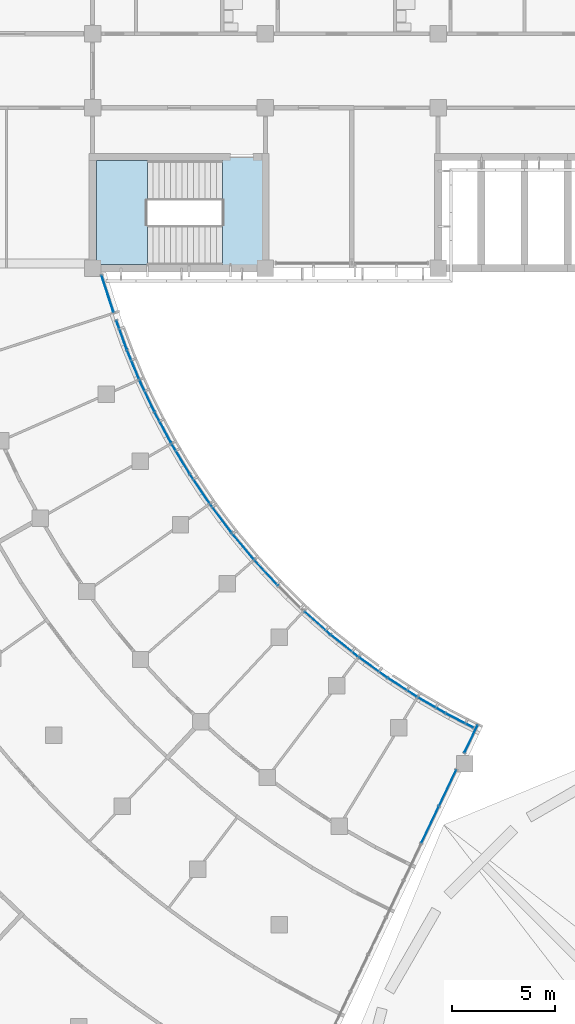
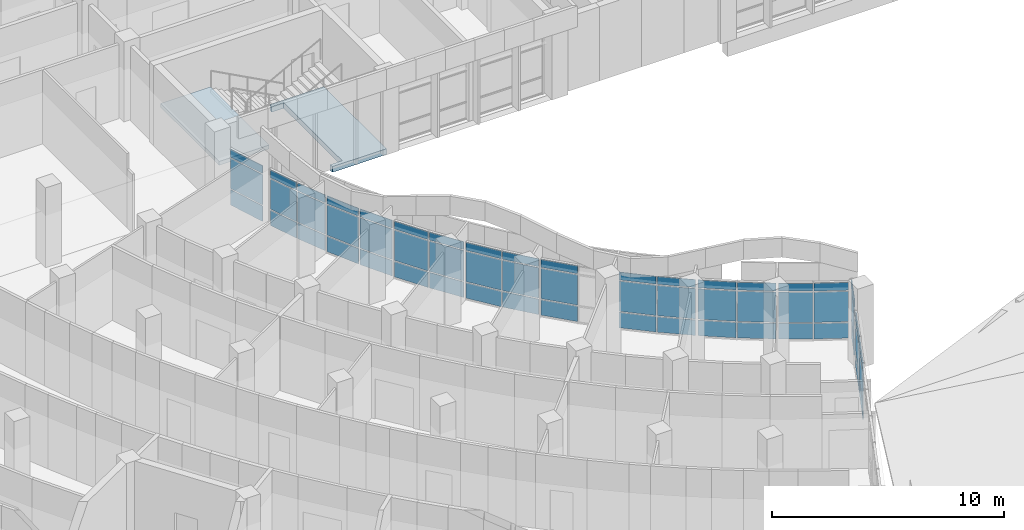
# One storey, part 54 of 137: 57 plates, 2 slabs, 12 elements without a shape of their own.
"""IFC4 building model written with IfcOpenShell, lengths in metres."""

from ifc_helpers import new_model, si_unit, direction, frame, origin, origin_2d, place, context, subcontext, project, spatial, polyline, rectangle, outline, extrude, material, layer, layer_set, type_object, element, aggregate, save


model = new_model("IFC4")

# Units and contexts
model_context = context("Model", 3, precision=1e-05, world=origin(), true_north=direction((0.0, 1.0)))
body_context = subcontext(model_context, "Body", "Model", "MODEL_VIEW")
ifc_project = project(units=[si_unit("LENGTHUNIT", "METRE"), si_unit("AREAUNIT", "SQUARE_METRE"), si_unit("VOLUMEUNIT", "CUBIC_METRE"), si_unit("PLANEANGLEUNIT", "RADIAN"), si_unit("MASSUNIT", "GRAM", prefix="KILO")], contexts=[model_context])

# Site, building, storey
site_placement = place(None, origin())
site = spatial("IfcSite", under=ifc_project, at=site_placement, CompositionType="ELEMENT")
building_placement = place(site_placement, origin())
building = spatial("IfcBuilding", under=site, at=building_placement, Name="Bougainvillea Quay General Hospital", CompositionType="ELEMENT")
storey_placement = place(building_placement, frame((0.0, 0.0, 16.800048828125)))
storey = spatial("IfcBuildingStorey", under=building, at=storey_placement, Name="L03", CompositionType="ELEMENT", Elevation=16.800048828125)

# Curtain wall, plates
ifc_material_1 = material(Name="Aluminium curtain wall system, powder-coated glazed", Category="aluminium")
curtain_wall_type_1 = type_object("IfcCurtainWallType", Name="Unitised curtain wall CW-1997", PredefinedType="NOTDEFINED", material=ifc_material_1)
curtain_wall_1_placement = place(storey_placement, origin())
curtain_wall_1 = element("IfcCurtainWall", 1, at=curtain_wall_1_placement, inside=storey, type_object=curtain_wall_type_1, Name="CW-AE 02", PredefinedType="NOTDEFINED")
ifc_material_2 = material(Name="Insulated aluminium spandrel panel, white", Category="aluminium")
ifc_layer_1 = layer(ifc_material_2, 0.028076171875)
ifc_layer_set_1 = layer_set([ifc_layer_1], Name="Insulated aluminium spandrel panel, white")
plate_type_1 = type_object("IfcPlateType", Name="Insulated spandrel panel white 28", PredefinedType="CURTAIN_PANEL", material=ifc_layer_set_1)
plate_1_placement = place(storey_placement, frame((92.006591796875, 90.533203125, 0.059814453125), z_axis=(0.0, 0.0, 1.0), x_axis=(0.430525444112, 0.902578440897, 0.0)))
plate_1 = element("IfcPlate", 2, at=plate_1_placement, type_object=plate_type_1, Name="CW-AE spandrel panel 9.1", PredefinedType="CURTAIN_PANEL", context=body_context, shape_type="SweptSolid", body=[
    extrude(rectangle(XDim=1.93603515625, YDim=0.028076171875, at=origin_2d()), origin(), (0.0, 0.0, 1.0), 0.81005859375),
])
plate_2_placement = place(storey_placement, frame((92.006591796875, 90.533203125, 2.580078125), z_axis=(0.0, 0.0, 1.0), x_axis=(0.430525444112, 0.902578440897, 0.0)))
plate_2 = element("IfcPlate", 3, at=plate_2_placement, type_object=plate_type_1, Name="CW-AE spandrel panel 9.3", PredefinedType="CURTAIN_PANEL", context=body_context, shape_type="SweptSolid", body=[
    extrude(rectangle(XDim=1.93603515625, YDim=0.028076171875, at=origin_2d()), origin(), (0.0, 0.0, 1.0), 0.409912109375),
])
plate_3_placement = place(storey_placement, frame((92.859375, 92.3212890625, 0.059814453125), z_axis=(0.0, 0.0, 1.0), x_axis=(0.430525444112, 0.902578440897, 0.0)))
plate_3 = element("IfcPlate", 4, at=plate_3_placement, type_object=plate_type_1, Name="CW-AE spandrel panel 10.1", PredefinedType="CURTAIN_PANEL", context=body_context, shape_type="SweptSolid", body=[
    extrude(rectangle(XDim=1.906005859375, YDim=0.028076171875, at=origin_2d()), origin(), (0.0, 0.0, 1.0), 0.81005859375),
])
plate_4_placement = place(storey_placement, frame((92.859375, 92.3212890625, 2.580078125), z_axis=(0.0, 0.0, 1.0), x_axis=(0.430525444112, 0.902578440897, 0.0)))
plate_4 = element("IfcPlate", 5, at=plate_4_placement, type_object=plate_type_1, Name="CW-AE spandrel panel 10.3", PredefinedType="CURTAIN_PANEL", context=body_context, shape_type="SweptSolid", body=[
    extrude(rectangle(XDim=1.906005859375, YDim=0.028076171875, at=origin_2d()), origin(), (0.0, 0.0, 1.0), 0.409912109375),
])

curtain_wall_type_2 = type_object("IfcCurtainWallType", Name="Unitised curtain wall CW-1580", PredefinedType="NOTDEFINED", material=ifc_material_1)
curtain_wall_2_placement = place(storey_placement, origin())
curtain_wall_2 = element("IfcCurtainWall", 6, at=curtain_wall_2_placement, inside=storey, type_object=curtain_wall_type_2, Name="CW-AE 03", PredefinedType="NOTDEFINED")
plate_5_placement = place(storey_placement, frame((93.997314453125, 94.706787109375, 0.059814453125), z_axis=(0.0, 0.0, 1.0), x_axis=(0.430525444112, 0.902578440897, 0.0)))
plate_5 = element("IfcPlate", 7, at=plate_5_placement, type_object=plate_type_1, Name="CW-AE spandrel panel 1.1", PredefinedType="CURTAIN_PANEL", context=body_context, shape_type="SweptSolid", body=[
    extrude(rectangle(XDim=1.459716796875, YDim=0.028076171875, at=origin_2d()), origin(), (0.0, 0.0, 1.0), 0.81005859375),
])
plate_6_placement = place(storey_placement, frame((93.997314453125, 94.706787109375, 2.580078125), z_axis=(0.0, 0.0, 1.0), x_axis=(0.430525444112, 0.902578440897, 0.0)))
plate_6 = element("IfcPlate", 8, at=plate_6_placement, type_object=plate_type_1, Name="CW-AE spandrel panel 1.3", PredefinedType="CURTAIN_PANEL", context=body_context, shape_type="SweptSolid", body=[
    extrude(rectangle(XDim=1.459716796875, YDim=0.028076171875, at=origin_2d()), origin(), (0.0, 0.0, 1.0), 0.409912109375),
])

curtain_wall_type_3 = type_object("IfcCurtainWallType", Name="Unitised curtain wall CW-2100", PredefinedType="NOTDEFINED", material=ifc_material_1)
curtain_wall_3_placement = place(storey_placement, origin())
curtain_wall_3 = element("IfcCurtainWall", 9, at=curtain_wall_3_placement, inside=storey, type_object=curtain_wall_type_3, Name="CW-W01 a03b0", PredefinedType="NOTDEFINED")
plate_7_placement = place(storey_placement, frame((93.4384765625, 95.602294921875, 0.059814453125), z_axis=(0.0, 0.0, 1.0), x_axis=(-0.887958036873, 0.459924477228, 0.0)))
plate_7 = element("IfcPlate", 10, at=plate_7_placement, type_object=plate_type_1, Name="CW-W01 spandrel panel 1.1", PredefinedType="CURTAIN_PANEL", context=body_context, shape_type="SweptSolid", body=[
    extrude(rectangle(XDim=1.475830078125, YDim=0.028076171875, at=origin_2d()), origin(), (0.0, 0.0, 1.0), 0.81005859375),
])
plate_8_placement = place(storey_placement, frame((93.4384765625, 95.602294921875, 2.580078125), z_axis=(0.0, 0.0, 1.0), x_axis=(-0.887958036873, 0.459924477228, 0.0)))
plate_8 = element("IfcPlate", 11, at=plate_8_placement, type_object=plate_type_1, Name="CW-W01 spandrel panel 1.3", PredefinedType="CURTAIN_PANEL", context=body_context, shape_type="SweptSolid", body=[
    extrude(rectangle(XDim=1.475830078125, YDim=0.028076171875, at=origin_2d()), origin(), (0.0, 0.0, 1.0), 0.409912109375),
])
plate_9_placement = place(storey_placement, frame((92.09130859375, 96.339599609375, 0.059814453125), z_axis=(0.0, 0.0, 1.0), x_axis=(-0.866007268476, 0.50003140996, 0.0)))
plate_9 = element("IfcPlate", 12, at=plate_9_placement, type_object=plate_type_1, Name="CW-W01 spandrel panel 2.1", PredefinedType="CURTAIN_PANEL", context=body_context, shape_type="SweptSolid", body=[
    extrude(rectangle(XDim=1.475830078125, YDim=0.028076171875, at=origin_2d()), origin(), (0.0, 0.0, 1.0), 0.81005859375),
])
plate_10_placement = place(storey_placement, frame((92.09130859375, 96.339599609375, 2.580078125), z_axis=(0.0, 0.0, 1.0), x_axis=(-0.866007268476, 0.50003140996, 0.0)))
plate_10 = element("IfcPlate", 13, at=plate_10_placement, type_object=plate_type_1, Name="CW-W01 spandrel panel 2.3", PredefinedType="CURTAIN_PANEL", context=body_context, shape_type="SweptSolid", body=[
    extrude(rectangle(XDim=1.475830078125, YDim=0.028076171875, at=origin_2d()), origin(), (0.0, 0.0, 1.0), 0.409912109375),
])

curtain_wall_4_placement = place(storey_placement, origin())
curtain_wall_4 = element("IfcCurtainWall", 14, at=curtain_wall_4_placement, inside=storey, type_object=curtain_wall_type_3, Name="CW-W02 a03b1", PredefinedType="NOTDEFINED")
plate_11_placement = place(storey_placement, frame((90.657470703125, 97.216796875, 0.059814453125), z_axis=(0.0, 0.0, 1.0), x_axis=(-0.840897357359, 0.541194636325, 0.0)))
plate_11 = element("IfcPlate", 15, at=plate_11_placement, type_object=plate_type_1, Name="CW-W02 spandrel panel 1.1", PredefinedType="CURTAIN_PANEL", context=body_context, shape_type="SweptSolid", body=[
    extrude(rectangle(XDim=1.64697265625, YDim=0.028076171875, at=origin_2d()), origin(), (0.0, 0.0, 1.0), 0.81005859375),
])
plate_12_placement = place(storey_placement, frame((90.657470703125, 97.216796875, 2.580078125), z_axis=(0.0, 0.0, 1.0), x_axis=(-0.840897357359, 0.541194636325, 0.0)))
plate_12 = element("IfcPlate", 16, at=plate_12_placement, type_object=plate_type_1, Name="CW-W02 spandrel panel 1.3", PredefinedType="CURTAIN_PANEL", context=body_context, shape_type="SweptSolid", body=[
    extrude(rectangle(XDim=1.64697265625, YDim=0.028076171875, at=origin_2d()), origin(), (0.0, 0.0, 1.0), 0.409912109375),
])
plate_13_placement = place(storey_placement, frame((89.246337890625, 98.17626953125, 0.059814453125), z_axis=(0.0, 0.0, 1.0), x_axis=(-0.812378779606, 0.583130104218, 0.0)))
plate_13 = element("IfcPlate", 17, at=plate_13_placement, type_object=plate_type_1, Name="CW-W02 spandrel panel 2.1", PredefinedType="CURTAIN_PANEL", context=body_context, shape_type="SweptSolid", body=[
    extrude(rectangle(XDim=1.64697265625, YDim=0.028076171875, at=origin_2d()), origin(), (0.0, 0.0, 1.0), 0.81005859375),
])
plate_14_placement = place(storey_placement, frame((89.246337890625, 98.17626953125, 2.580078125), z_axis=(0.0, 0.0, 1.0), x_axis=(-0.812378779606, 0.583130104218, 0.0)))
plate_14 = element("IfcPlate", 18, at=plate_14_placement, type_object=plate_type_1, Name="CW-W02 spandrel panel 2.3", PredefinedType="CURTAIN_PANEL", context=body_context, shape_type="SweptSolid", body=[
    extrude(rectangle(XDim=1.64697265625, YDim=0.028076171875, at=origin_2d()), origin(), (0.0, 0.0, 1.0), 0.409912109375),
])

curtain_wall_5_placement = place(storey_placement, origin())
curtain_wall_5 = element("IfcCurtainWall", 19, at=curtain_wall_5_placement, inside=storey, type_object=curtain_wall_type_3, Name="CW-W03 a03b2", PredefinedType="NOTDEFINED")
plate_15_placement = place(storey_placement, frame((87.838134765625, 99.242431640625, 0.059814453125), z_axis=(0.0, 0.0, 1.0), x_axis=(-0.781770850765, 0.623565824026, 0.0)))
plate_15 = element("IfcPlate", 20, at=plate_15_placement, type_object=plate_type_1, Name="CW-W03 spandrel panel 1.1", PredefinedType="CURTAIN_PANEL", context=body_context, shape_type="SweptSolid", body=[
    extrude(rectangle(XDim=1.64697265625, YDim=0.028076171875, at=origin_2d()), origin(), (0.0, 0.0, 1.0), 0.81005859375),
])
plate_16_placement = place(storey_placement, frame((87.838134765625, 99.242431640625, 2.580078125), z_axis=(0.0, 0.0, 1.0), x_axis=(-0.781770850765, 0.623565824026, 0.0)))
plate_16 = element("IfcPlate", 21, at=plate_16_placement, type_object=plate_type_1, Name="CW-W03 spandrel panel 1.3", PredefinedType="CURTAIN_PANEL", context=body_context, shape_type="SweptSolid", body=[
    extrude(rectangle(XDim=1.64697265625, YDim=0.028076171875, at=origin_2d()), origin(), (0.0, 0.0, 1.0), 0.409912109375),
])
plate_17_placement = place(storey_placement, frame((86.531494140625, 100.33984375, 0.059814453125), z_axis=(0.0, 0.0, 1.0), x_axis=(-0.749152291145, 0.662397799417, 0.0)))
plate_17 = element("IfcPlate", 22, at=plate_17_placement, type_object=plate_type_1, Name="CW-W03 spandrel panel 2.1", PredefinedType="CURTAIN_PANEL", context=body_context, shape_type="SweptSolid", body=[
    extrude(rectangle(XDim=1.64697265625, YDim=0.028076171875, at=origin_2d()), origin(), (0.0, 0.0, 1.0), 0.81005859375),
])
plate_18_placement = place(storey_placement, frame((86.531494140625, 100.33984375, 2.580078125), z_axis=(0.0, 0.0, 1.0), x_axis=(-0.749152291145, 0.662397799417, 0.0)))
plate_18 = element("IfcPlate", 23, at=plate_18_placement, type_object=plate_type_1, Name="CW-W03 spandrel panel 2.3", PredefinedType="CURTAIN_PANEL", context=body_context, shape_type="SweptSolid", body=[
    extrude(rectangle(XDim=1.64697265625, YDim=0.028076171875, at=origin_2d()), origin(), (0.0, 0.0, 1.0), 0.409912109375),
])

curtain_wall_6_placement = place(storey_placement, origin())
curtain_wall_6 = element("IfcCurtainWall", 24, at=curtain_wall_6_placement, inside=storey, type_object=curtain_wall_type_3, Name="CW-W04 a03b3", PredefinedType="NOTDEFINED")
plate_19_placement = place(storey_placement, frame((84.049560546875, 102.767333984375, 0.059814453125), z_axis=(0.0, 0.0, 1.0), x_axis=(-0.678223800683, 0.734855411756, 0.0)))
plate_19 = element("IfcPlate", 25, at=plate_19_placement, type_object=plate_type_1, Name="CW-W04 spandrel panel 2.1", PredefinedType="CURTAIN_PANEL", context=body_context, shape_type="SweptSolid", body=[
    extrude(rectangle(XDim=1.64697265625, YDim=0.028076171875, at=origin_2d()), origin(), (0.0, 0.0, 1.0), 0.81005859375),
])
plate_20_placement = place(storey_placement, frame((84.049560546875, 102.767333984375, 2.580078125), z_axis=(0.0, 0.0, 1.0), x_axis=(-0.678223800683, 0.734855411756, 0.0)))
plate_20 = element("IfcPlate", 26, at=plate_20_placement, type_object=plate_type_1, Name="CW-W04 spandrel panel 2.3", PredefinedType="CURTAIN_PANEL", context=body_context, shape_type="SweptSolid", body=[
    extrude(rectangle(XDim=1.64697265625, YDim=0.028076171875, at=origin_2d()), origin(), (0.0, 0.0, 1.0), 0.409912109375),
])

curtain_wall_7_placement = place(storey_placement, origin())
curtain_wall_7 = element("IfcCurtainWall", 27, at=curtain_wall_7_placement, inside=storey, type_object=curtain_wall_type_3, Name="CW-W05 a03b4", PredefinedType="NOTDEFINED")
plate_21_placement = place(storey_placement, frame((82.884765625, 104.09521484375, 0.059814453125), z_axis=(0.0, 0.0, 1.0), x_axis=(-0.64009629031, 0.768294695498, 0.0)))
plate_21 = element("IfcPlate", 28, at=plate_21_placement, type_object=plate_type_1, Name="CW-W05 spandrel panel 1.1", PredefinedType="CURTAIN_PANEL", context=body_context, shape_type="SweptSolid", body=[
    extrude(rectangle(XDim=1.64697265625, YDim=0.028076171875, at=origin_2d()), origin(), (0.0, 0.0, 1.0), 0.81005859375),
])
plate_22_placement = place(storey_placement, frame((82.884765625, 104.09521484375, 2.580078125), z_axis=(0.0, 0.0, 1.0), x_axis=(-0.64009629031, 0.768294695498, 0.0)))
plate_22 = element("IfcPlate", 29, at=plate_22_placement, type_object=plate_type_1, Name="CW-W05 spandrel panel 1.3", PredefinedType="CURTAIN_PANEL", context=body_context, shape_type="SweptSolid", body=[
    extrude(rectangle(XDim=1.64697265625, YDim=0.028076171875, at=origin_2d()), origin(), (0.0, 0.0, 1.0), 0.409912109375),
])
plate_23_placement = place(storey_placement, frame((81.826171875, 105.43359375, 0.059814453125), z_axis=(0.0, 0.0, 1.0), x_axis=(-0.600322520933, 0.799758007688, 0.0)))
plate_23 = element("IfcPlate", 30, at=plate_23_placement, type_object=plate_type_1, Name="CW-W05 spandrel panel 2.1", PredefinedType="CURTAIN_PANEL", context=body_context, shape_type="SweptSolid", body=[
    extrude(rectangle(XDim=1.64697265625, YDim=0.028076171875, at=origin_2d()), origin(), (0.0, 0.0, 1.0), 0.81005859375),
])
plate_24_placement = place(storey_placement, frame((81.826171875, 105.43359375, 2.580078125), z_axis=(0.0, 0.0, 1.0), x_axis=(-0.600322520933, 0.799758007688, 0.0)))
plate_24 = element("IfcPlate", 31, at=plate_24_placement, type_object=plate_type_1, Name="CW-W05 spandrel panel 2.3", PredefinedType="CURTAIN_PANEL", context=body_context, shape_type="SweptSolid", body=[
    extrude(rectangle(XDim=1.64697265625, YDim=0.028076171875, at=origin_2d()), origin(), (0.0, 0.0, 1.0), 0.409912109375),
])

curtain_wall_8_placement = place(storey_placement, origin())
curtain_wall_8 = element("IfcCurtainWall", 32, at=curtain_wall_8_placement, inside=storey, type_object=curtain_wall_type_3, Name="CW-W06 a03b5", PredefinedType="NOTDEFINED")
plate_25_placement = place(storey_placement, frame((80.802001953125, 106.872802734375, 0.059814453125), z_axis=(0.0, 0.0, 1.0), x_axis=(-0.55900478642, 0.82916442806, 0.0)))
plate_25 = element("IfcPlate", 33, at=plate_25_placement, type_object=plate_type_1, Name="CW-W06 spandrel panel 1.1", PredefinedType="CURTAIN_PANEL", context=body_context, shape_type="SweptSolid", body=[
    extrude(rectangle(XDim=1.64697265625, YDim=0.028076171875, at=origin_2d()), origin(), (0.0, 0.0, 1.0), 0.81005859375),
])
plate_26_placement = place(storey_placement, frame((80.802001953125, 106.872802734375, 2.580078125), z_axis=(0.0, 0.0, 1.0), x_axis=(-0.55900478642, 0.82916442806, 0.0)))
plate_26 = element("IfcPlate", 34, at=plate_26_placement, type_object=plate_type_1, Name="CW-W06 spandrel panel 1.3", PredefinedType="CURTAIN_PANEL", context=body_context, shape_type="SweptSolid", body=[
    extrude(rectangle(XDim=1.64697265625, YDim=0.028076171875, at=origin_2d()), origin(), (0.0, 0.0, 1.0), 0.409912109375),
])
plate_27_placement = place(storey_placement, frame((79.88427734375, 108.311279296875, 0.059814453125), z_axis=(0.0, 0.0, 1.0), x_axis=(-0.516249351553, 0.856438326455, 0.0)))
plate_27 = element("IfcPlate", 35, at=plate_27_placement, type_object=plate_type_1, Name="CW-W06 spandrel panel 2.1", PredefinedType="CURTAIN_PANEL", context=body_context, shape_type="SweptSolid", body=[
    extrude(rectangle(XDim=1.64697265625, YDim=0.028076171875, at=origin_2d()), origin(), (0.0, 0.0, 1.0), 0.81005859375),
])
plate_28_placement = place(storey_placement, frame((79.88427734375, 108.311279296875, 2.580078125), z_axis=(0.0, 0.0, 1.0), x_axis=(-0.516249351553, 0.856438326455, 0.0)))
plate_28 = element("IfcPlate", 36, at=plate_28_placement, type_object=plate_type_1, Name="CW-W06 spandrel panel 2.3", PredefinedType="CURTAIN_PANEL", context=body_context, shape_type="SweptSolid", body=[
    extrude(rectangle(XDim=1.64697265625, YDim=0.028076171875, at=origin_2d()), origin(), (0.0, 0.0, 1.0), 0.409912109375),
])

curtain_wall_9_placement = place(storey_placement, origin())
curtain_wall_9 = element("IfcCurtainWall", 37, at=curtain_wall_9_placement, inside=storey, type_object=curtain_wall_type_3, Name="CW-W07 a03b6", PredefinedType="NOTDEFINED")
plate_29_placement = place(storey_placement, frame((79.010986328125, 109.8466796875, 0.059814453125), z_axis=(0.0, 0.0, 1.0), x_axis=(-0.472166178724, 0.881509557333, 0.0)))
plate_29 = element("IfcPlate", 38, at=plate_29_placement, type_object=plate_type_1, Name="CW-W07 spandrel panel 1.1", PredefinedType="CURTAIN_PANEL", context=body_context, shape_type="SweptSolid", body=[
    extrude(rectangle(XDim=1.64697265625, YDim=0.028076171875, at=origin_2d()), origin(), (0.0, 0.0, 1.0), 0.81005859375),
])
plate_30_placement = place(storey_placement, frame((79.010986328125, 109.8466796875, 2.580078125), z_axis=(0.0, 0.0, 1.0), x_axis=(-0.472166178724, 0.881509557333, 0.0)))
plate_30 = element("IfcPlate", 39, at=plate_30_placement, type_object=plate_type_1, Name="CW-W07 spandrel panel 1.3", PredefinedType="CURTAIN_PANEL", context=body_context, shape_type="SweptSolid", body=[
    extrude(rectangle(XDim=1.64697265625, YDim=0.028076171875, at=origin_2d()), origin(), (0.0, 0.0, 1.0), 0.409912109375),
])
plate_31_placement = place(storey_placement, frame((78.24365234375, 111.370849609375, 0.059814453125), z_axis=(0.0, 0.0, 1.0), x_axis=(-0.426868645126, 0.904313640176, 0.0)))
plate_31 = element("IfcPlate", 40, at=plate_31_placement, type_object=plate_type_1, Name="CW-W07 spandrel panel 2.1", PredefinedType="CURTAIN_PANEL", context=body_context, shape_type="SweptSolid", body=[
    extrude(rectangle(XDim=1.64697265625, YDim=0.028076171875, at=origin_2d()), origin(), (0.0, 0.0, 1.0), 0.81005859375),
])
plate_32_placement = place(storey_placement, frame((78.24365234375, 111.370849609375, 2.580078125), z_axis=(0.0, 0.0, 1.0), x_axis=(-0.426868645126, 0.904313640176, 0.0)))
plate_32 = element("IfcPlate", 41, at=plate_32_placement, type_object=plate_type_1, Name="CW-W07 spandrel panel 2.3", PredefinedType="CURTAIN_PANEL", context=body_context, shape_type="SweptSolid", body=[
    extrude(rectangle(XDim=1.64697265625, YDim=0.028076171875, at=origin_2d()), origin(), (0.0, 0.0, 1.0), 0.409912109375),
])

curtain_wall_10_placement = place(storey_placement, origin())
curtain_wall_10 = element("IfcCurtainWall", 42, at=curtain_wall_10_placement, inside=storey, type_object=curtain_wall_type_3, Name="CW-W08 a03b7", PredefinedType="NOTDEFINED")
plate_33_placement = place(storey_placement, frame((77.56103515625, 112.907470703125, 0.059814453125), z_axis=(0.0, 0.0, 1.0), x_axis=(-0.382770483282, 0.923843470036, 0.0)))
plate_33 = element("IfcPlate", 43, at=plate_33_placement, type_object=plate_type_1, Name="CW-W08 spandrel panel 1.1", PredefinedType="CURTAIN_PANEL", context=body_context, shape_type="SweptSolid", body=[
    extrude(rectangle(XDim=1.476806640625, YDim=0.028076171875, at=origin_2d()), origin(), (0.0, 0.0, 1.0), 0.81005859375),
])
plate_34_placement = place(storey_placement, frame((77.56103515625, 112.907470703125, 2.580078125), z_axis=(0.0, 0.0, 1.0), x_axis=(-0.382770483282, 0.923843470036, 0.0)))
plate_34 = element("IfcPlate", 44, at=plate_34_placement, type_object=plate_type_1, Name="CW-W08 spandrel panel 1.3", PredefinedType="CURTAIN_PANEL", context=body_context, shape_type="SweptSolid", body=[
    extrude(rectangle(XDim=1.476806640625, YDim=0.028076171875, at=origin_2d()), origin(), (0.0, 0.0, 1.0), 0.409912109375),
])
plate_35_placement = place(storey_placement, frame((77.005615234375, 114.33984375, 0.059814453125), z_axis=(0.0, 0.0, 1.0), x_axis=(-0.340120177444, 0.940381978185, 0.0)))
plate_35 = element("IfcPlate", 45, at=plate_35_placement, type_object=plate_type_1, Name="CW-W08 spandrel panel 2.1", PredefinedType="CURTAIN_PANEL", context=body_context, shape_type="SweptSolid", body=[
    extrude(rectangle(XDim=1.476806640625, YDim=0.028076171875, at=origin_2d()), origin(), (0.0, 0.0, 1.0), 0.81005859375),
])
plate_36_placement = place(storey_placement, frame((77.005615234375, 114.33984375, 2.580078125), z_axis=(0.0, 0.0, 1.0), x_axis=(-0.340120177444, 0.940381978185, 0.0)))
plate_36 = element("IfcPlate", 46, at=plate_36_placement, type_object=plate_type_1, Name="CW-W08 spandrel panel 2.3", PredefinedType="CURTAIN_PANEL", context=body_context, shape_type="SweptSolid", body=[
    extrude(rectangle(XDim=1.476806640625, YDim=0.028076171875, at=origin_2d()), origin(), (0.0, 0.0, 1.0), 0.409912109375),
])

curtain_wall_type_4 = type_object("IfcCurtainWallType", Name="Unitised curtain wall CW-1975", PredefinedType="NOTDEFINED", material=ifc_material_1)
curtain_wall_11_placement = place(storey_placement, origin())
curtain_wall_11 = element("IfcCurtainWall", 47, at=curtain_wall_11_placement, inside=storey, type_object=curtain_wall_type_4, Name="CW-AE 00", PredefinedType="NOTDEFINED")
plate_37_placement = place(storey_placement, frame((76.3212890625, 116.354736328125, 0.059814453125), z_axis=(0.0, 0.0, 1.0), x_axis=(-0.308970506674, 0.951071619809, 0.0)))
plate_37 = element("IfcPlate", 48, at=plate_37_placement, type_object=plate_type_1, Name="CW-AE spandrel panel 1.1", PredefinedType="CURTAIN_PANEL", context=body_context, shape_type="SweptSolid", body=[
    extrude(rectangle(XDim=1.8544921875, YDim=0.028076171875, at=origin_2d()), origin(), (0.0, 0.0, 1.0), 0.81005859375),
])
plate_38_placement = place(storey_placement, frame((76.3212890625, 116.354736328125, 2.580078125), z_axis=(0.0, 0.0, 1.0), x_axis=(-0.308970506674, 0.951071619809, 0.0)))
plate_38 = element("IfcPlate", 49, at=plate_38_placement, type_object=plate_type_1, Name="CW-AE spandrel panel 1.3", PredefinedType="CURTAIN_PANEL", context=body_context, shape_type="SweptSolid", body=[
    extrude(rectangle(XDim=1.8544921875, YDim=0.028076171875, at=origin_2d()), origin(), (0.0, 0.0, 1.0), 0.409912109375),
])

# Plate
ifc_material_3 = material(Name="Low-e laminated glass, solar control", Category="glass")
ifc_layer_2 = layer(ifc_material_3, 0.028076171875)
ifc_layer_set_2 = layer_set([ifc_layer_2], Name="Low-e laminated glass, solar control")
plate_type_2 = type_object("IfcPlateType", Name="Low-e laminated vision glass 28", PredefinedType="CURTAIN_PANEL", material=ifc_layer_set_2)
plate_39_placement = place(storey_placement, frame((92.006591796875, 90.533203125, 0.9296875), z_axis=(0.0, 0.0, 1.0), x_axis=(0.430525444112, 0.902578440897, 0.0)))
plate_39 = element("IfcPlate", 50, at=plate_39_placement, type_object=plate_type_2, Name="CW-AE vision glass panel 9.2", PredefinedType="CURTAIN_PANEL", context=body_context, shape_type="SweptSolid", body=[
    extrude(rectangle(XDim=1.93603515625, YDim=0.028076171875, at=origin_2d()), origin(), (0.0, 0.0, 1.0), 1.590087890625),
])

plate_40_placement = place(storey_placement, frame((92.859375, 92.3212890625, 0.9296875), z_axis=(0.0, 0.0, 1.0), x_axis=(0.430525444112, 0.902578440897, 0.0)))
plate_40 = element("IfcPlate", 51, at=plate_40_placement, type_object=plate_type_2, Name="CW-AE vision glass panel 10.2", PredefinedType="CURTAIN_PANEL", context=body_context, shape_type="SweptSolid", body=[
    extrude(rectangle(XDim=1.906005859375, YDim=0.028076171875, at=origin_2d()), origin(), (0.0, 0.0, 1.0), 1.590087890625),
])

aggregate(curtain_wall_1, [plate_1, plate_39, plate_2, plate_3, plate_40, plate_4])

plate_41_placement = place(storey_placement, frame((93.997314453125, 94.706787109375, 0.9296875), z_axis=(0.0, 0.0, 1.0), x_axis=(0.430525444112, 0.902578440897, 0.0)))
plate_41 = element("IfcPlate", 52, at=plate_41_placement, type_object=plate_type_2, Name="CW-AE vision glass panel 1.2", PredefinedType="CURTAIN_PANEL", context=body_context, shape_type="SweptSolid", body=[
    extrude(rectangle(XDim=1.459716796875, YDim=0.028076171875, at=origin_2d()), origin(), (0.0, 0.0, 1.0), 1.590087890625),
])

aggregate(curtain_wall_2, [plate_5, plate_41, plate_6])

plate_42_placement = place(storey_placement, frame((93.4384765625, 95.602294921875, 0.9296875), z_axis=(0.0, 0.0, 1.0), x_axis=(-0.887958036873, 0.459924477228, 0.0)))
plate_42 = element("IfcPlate", 53, at=plate_42_placement, type_object=plate_type_2, Name="CW-W01 vision glass panel 1.2", PredefinedType="CURTAIN_PANEL", context=body_context, shape_type="SweptSolid", body=[
    extrude(rectangle(XDim=1.475830078125, YDim=0.028076171875, at=origin_2d()), origin(), (0.0, 0.0, 1.0), 1.590087890625),
])

plate_43_placement = place(storey_placement, frame((92.09130859375, 96.339599609375, 0.9296875), z_axis=(0.0, 0.0, 1.0), x_axis=(-0.866007268476, 0.50003140996, 0.0)))
plate_43 = element("IfcPlate", 54, at=plate_43_placement, type_object=plate_type_2, Name="CW-W01 vision glass panel 2.2", PredefinedType="CURTAIN_PANEL", context=body_context, shape_type="SweptSolid", body=[
    extrude(rectangle(XDim=1.475830078125, YDim=0.028076171875, at=origin_2d()), origin(), (0.0, 0.0, 1.0), 1.590087890625),
])

aggregate(curtain_wall_3, [plate_7, plate_42, plate_8, plate_9, plate_43, plate_10])

plate_44_placement = place(storey_placement, frame((90.657470703125, 97.216796875, 0.9296875), z_axis=(0.0, 0.0, 1.0), x_axis=(-0.840897357359, 0.541194636325, 0.0)))
plate_44 = element("IfcPlate", 55, at=plate_44_placement, type_object=plate_type_2, Name="CW-W02 vision glass panel 1.2", PredefinedType="CURTAIN_PANEL", context=body_context, shape_type="SweptSolid", body=[
    extrude(rectangle(XDim=1.64697265625, YDim=0.028076171875, at=origin_2d()), origin(), (0.0, 0.0, 1.0), 1.590087890625),
])

plate_45_placement = place(storey_placement, frame((89.246337890625, 98.17626953125, 0.9296875), z_axis=(0.0, 0.0, 1.0), x_axis=(-0.812378779606, 0.583130104218, 0.0)))
plate_45 = element("IfcPlate", 56, at=plate_45_placement, type_object=plate_type_2, Name="CW-W02 vision glass panel 2.2", PredefinedType="CURTAIN_PANEL", context=body_context, shape_type="SweptSolid", body=[
    extrude(rectangle(XDim=1.64697265625, YDim=0.028076171875, at=origin_2d()), origin(), (0.0, 0.0, 1.0), 1.590087890625),
])

aggregate(curtain_wall_4, [plate_11, plate_44, plate_12, plate_13, plate_45, plate_14])

plate_46_placement = place(storey_placement, frame((87.838134765625, 99.242431640625, 0.9296875), z_axis=(0.0, 0.0, 1.0), x_axis=(-0.781770850765, 0.623565824026, 0.0)))
plate_46 = element("IfcPlate", 57, at=plate_46_placement, type_object=plate_type_2, Name="CW-W03 vision glass panel 1.2", PredefinedType="CURTAIN_PANEL", context=body_context, shape_type="SweptSolid", body=[
    extrude(rectangle(XDim=1.64697265625, YDim=0.028076171875, at=origin_2d()), origin(), (0.0, 0.0, 1.0), 1.590087890625),
])

plate_47_placement = place(storey_placement, frame((86.531494140625, 100.33984375, 0.9296875), z_axis=(0.0, 0.0, 1.0), x_axis=(-0.749152291145, 0.662397799417, 0.0)))
plate_47 = element("IfcPlate", 58, at=plate_47_placement, type_object=plate_type_2, Name="CW-W03 vision glass panel 2.2", PredefinedType="CURTAIN_PANEL", context=body_context, shape_type="SweptSolid", body=[
    extrude(rectangle(XDim=1.64697265625, YDim=0.028076171875, at=origin_2d()), origin(), (0.0, 0.0, 1.0), 1.590087890625),
])

aggregate(curtain_wall_5, [plate_15, plate_46, plate_16, plate_17, plate_47, plate_18])

plate_48_placement = place(storey_placement, frame((84.049560546875, 102.767333984375, 0.9296875), z_axis=(0.0, 0.0, 1.0), x_axis=(-0.678223800683, 0.734855411756, 0.0)))
plate_48 = element("IfcPlate", 59, at=plate_48_placement, type_object=plate_type_2, Name="CW-W04 vision glass panel 2.2", PredefinedType="CURTAIN_PANEL", context=body_context, shape_type="SweptSolid", body=[
    extrude(rectangle(XDim=1.64697265625, YDim=0.028076171875, at=origin_2d()), origin(), (0.0, 0.0, 1.0), 1.590087890625),
])

aggregate(curtain_wall_6, [plate_19, plate_48, plate_20])

plate_49_placement = place(storey_placement, frame((82.884765625, 104.09521484375, 0.9296875), z_axis=(0.0, 0.0, 1.0), x_axis=(-0.64009629031, 0.768294695498, 0.0)))
plate_49 = element("IfcPlate", 60, at=plate_49_placement, type_object=plate_type_2, Name="CW-W05 vision glass panel 1.2", PredefinedType="CURTAIN_PANEL", context=body_context, shape_type="SweptSolid", body=[
    extrude(rectangle(XDim=1.64697265625, YDim=0.028076171875, at=origin_2d()), origin(), (0.0, 0.0, 1.0), 1.590087890625),
])

plate_50_placement = place(storey_placement, frame((81.826171875, 105.43359375, 0.9296875), z_axis=(0.0, 0.0, 1.0), x_axis=(-0.600322520933, 0.799758007688, 0.0)))
plate_50 = element("IfcPlate", 61, at=plate_50_placement, type_object=plate_type_2, Name="CW-W05 vision glass panel 2.2", PredefinedType="CURTAIN_PANEL", context=body_context, shape_type="SweptSolid", body=[
    extrude(rectangle(XDim=1.64697265625, YDim=0.028076171875, at=origin_2d()), origin(), (0.0, 0.0, 1.0), 1.590087890625),
])

aggregate(curtain_wall_7, [plate_21, plate_49, plate_22, plate_23, plate_50, plate_24])

plate_51_placement = place(storey_placement, frame((80.802001953125, 106.872802734375, 0.9296875), z_axis=(0.0, 0.0, 1.0), x_axis=(-0.55900478642, 0.82916442806, 0.0)))
plate_51 = element("IfcPlate", 62, at=plate_51_placement, type_object=plate_type_2, Name="CW-W06 vision glass panel 1.2", PredefinedType="CURTAIN_PANEL", context=body_context, shape_type="SweptSolid", body=[
    extrude(rectangle(XDim=1.64697265625, YDim=0.028076171875, at=origin_2d()), origin(), (0.0, 0.0, 1.0), 1.590087890625),
])

plate_52_placement = place(storey_placement, frame((79.88427734375, 108.311279296875, 0.9296875), z_axis=(0.0, 0.0, 1.0), x_axis=(-0.516249351553, 0.856438326455, 0.0)))
plate_52 = element("IfcPlate", 63, at=plate_52_placement, type_object=plate_type_2, Name="CW-W06 vision glass panel 2.2", PredefinedType="CURTAIN_PANEL", context=body_context, shape_type="SweptSolid", body=[
    extrude(rectangle(XDim=1.64697265625, YDim=0.028076171875, at=origin_2d()), origin(), (0.0, 0.0, 1.0), 1.590087890625),
])

aggregate(curtain_wall_8, [plate_25, plate_51, plate_26, plate_27, plate_52, plate_28])

plate_53_placement = place(storey_placement, frame((79.010986328125, 109.8466796875, 0.9296875), z_axis=(0.0, 0.0, 1.0), x_axis=(-0.472166178724, 0.881509557333, 0.0)))
plate_53 = element("IfcPlate", 64, at=plate_53_placement, type_object=plate_type_2, Name="CW-W07 vision glass panel 1.2", PredefinedType="CURTAIN_PANEL", context=body_context, shape_type="SweptSolid", body=[
    extrude(rectangle(XDim=1.64697265625, YDim=0.028076171875, at=origin_2d()), origin(), (0.0, 0.0, 1.0), 1.590087890625),
])

plate_54_placement = place(storey_placement, frame((78.24365234375, 111.370849609375, 0.9296875), z_axis=(0.0, 0.0, 1.0), x_axis=(-0.426868645126, 0.904313640176, 0.0)))
plate_54 = element("IfcPlate", 65, at=plate_54_placement, type_object=plate_type_2, Name="CW-W07 vision glass panel 2.2", PredefinedType="CURTAIN_PANEL", context=body_context, shape_type="SweptSolid", body=[
    extrude(rectangle(XDim=1.64697265625, YDim=0.028076171875, at=origin_2d()), origin(), (0.0, 0.0, 1.0), 1.590087890625),
])

aggregate(curtain_wall_9, [plate_29, plate_53, plate_30, plate_31, plate_54, plate_32])

plate_55_placement = place(storey_placement, frame((77.56103515625, 112.907470703125, 0.9296875), z_axis=(0.0, 0.0, 1.0), x_axis=(-0.382770483282, 0.923843470036, 0.0)))
plate_55 = element("IfcPlate", 66, at=plate_55_placement, type_object=plate_type_2, Name="CW-W08 vision glass panel 1.2", PredefinedType="CURTAIN_PANEL", context=body_context, shape_type="SweptSolid", body=[
    extrude(rectangle(XDim=1.476806640625, YDim=0.028076171875, at=origin_2d()), origin(), (0.0, 0.0, 1.0), 1.590087890625),
])

plate_56_placement = place(storey_placement, frame((77.005615234375, 114.33984375, 0.9296875), z_axis=(0.0, 0.0, 1.0), x_axis=(-0.340120177444, 0.940381978185, 0.0)))
plate_56 = element("IfcPlate", 67, at=plate_56_placement, type_object=plate_type_2, Name="CW-W08 vision glass panel 2.2", PredefinedType="CURTAIN_PANEL", context=body_context, shape_type="SweptSolid", body=[
    extrude(rectangle(XDim=1.476806640625, YDim=0.028076171875, at=origin_2d()), origin(), (0.0, 0.0, 1.0), 1.590087890625),
])

aggregate(curtain_wall_10, [plate_33, plate_55, plate_34, plate_35, plate_56, plate_36])

plate_57_placement = place(storey_placement, frame((76.3212890625, 116.354736328125, 0.9296875), z_axis=(0.0, 0.0, 1.0), x_axis=(-0.308970506674, 0.951071619809, 0.0)))
plate_57 = element("IfcPlate", 68, at=plate_57_placement, type_object=plate_type_2, Name="CW-AE vision glass panel 1.2", PredefinedType="CURTAIN_PANEL", context=body_context, shape_type="SweptSolid", body=[
    extrude(rectangle(XDim=1.8544921875, YDim=0.028076171875, at=origin_2d()), origin(), (0.0, 0.0, 1.0), 1.590087890625),
])

aggregate(curtain_wall_11, [plate_37, plate_57, plate_38])

# Slab
ifc_material_4 = material(Name="Concrete C35", Category="concrete")
ifc_layer_3 = layer(ifc_material_4, 0.300048828125)
ifc_layer_set_3 = layer_set([ifc_layer_3], Name="Concrete C35")
slab_type_1 = type_object("IfcSlabType", Name="RC FLAT SLAB 300 C35", PredefinedType="FLOOR", material=ifc_layer_set_3)
slab_1_placement = place(storey_placement, frame((0.0, 0.0, -0.300048828125)))
element("IfcSlab", 69, at=slab_1_placement, inside=storey, type_object=slab_type_1, Name="Stair landing floor ST-B2 L03", PredefinedType="FLOOR", context=body_context, shape_type="SweptSolid", body=[
    extrude(outline(polyline([(81.302978515625, 122.8837890625), (81.3115234375, 122.942138671875), (81.325927734375, 122.99951171875), (84.0, 123.0), (84.0, 117.60009765625), (81.325927734375, 117.600341796875), (81.3115234375, 117.657958984375), (81.302978515625, 117.71630859375), (81.300048828125, 117.77392578125), (81.900634765625, 117.7744140625), (81.900634765625, 122.82568359375), (81.300048828125, 122.825927734375), (81.302978515625, 122.8837890625)])), origin(), (0.0, 0.0, 1.0), 0.300048828125),
])

# Stair, slab
stair_type = type_object("IfcStairType", Name="Stair half-turn 1925 wide", PredefinedType="HALF_TURN_STAIR", material=ifc_material_4)
stair_placement = place(storey_placement, origin())
stair = element("IfcStair", 70, at=stair_placement, inside=storey, type_object=stair_type, Name="L03 stair ST-B2", PredefinedType="HALF_TURN_STAIR")
ifc_layer_4 = layer(ifc_material_4, 0.199951171875)
ifc_layer_set_4 = layer_set([ifc_layer_4], Name="Concrete C35")
slab_type_2 = type_object("IfcSlabType", Name="Stair landing 200", PredefinedType="LANDING", material=ifc_layer_set_4)
slab_2_placement = place(storey_placement, frame((0.0, 0.0, 1.89990234375)))
slab_2 = element("IfcSlab", 71, at=slab_2_placement, type_object=slab_type_2, Name="ST-B2 landing 1", PredefinedType="LANDING", context=body_context, shape_type="SweptSolid", body=[
    extrude(outline(polyline([(78.260009765625, 122.824951171875), (75.77490234375, 122.824951171875), (75.77490234375, 117.77490234375), (78.260009765625, 117.77490234375), (78.260009765625, 122.824951171875)])), origin(), (0.0, 0.0, 1.0), 0.199951171875),
])
aggregate(stair, [slab_2])

save(model, "model.ifc")
